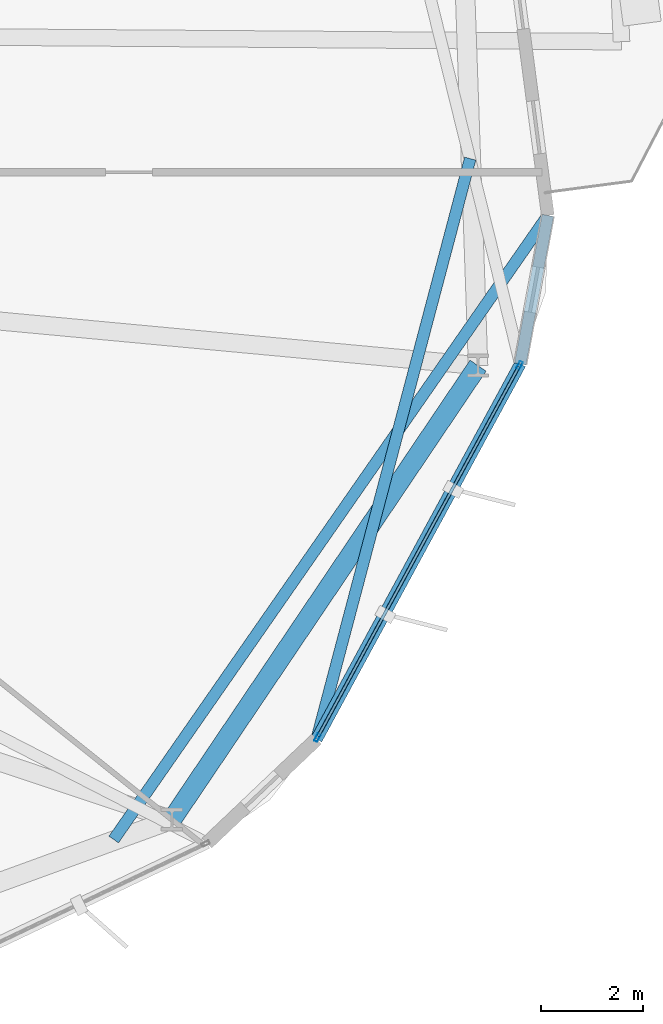
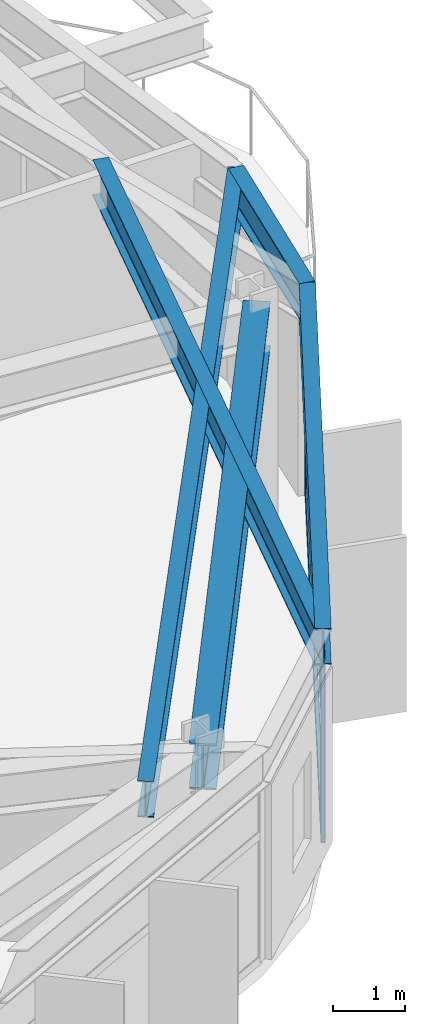
# One storey, part 12 of 25: 5 beams, 5 members, 1 element without a shape of its own.
"""IFC4 building model written with IfcOpenShell, lengths in metres."""

import ifcopenshell
import ifcopenshell.guid

model = None  # the IFC model being written
_history = None  # IfcOwnerHistory: only IFC2X3 demands one
_inside = {}  # id of a spatial element -> (the spatial element, [elements in it])
_under = {}  # id of a project, library or spatial element -> (it, [spatial elements below it])
_declared = {}  # id of a project -> (the project, [libraries it declares])
_typed = {}  # id of a type object -> (the type object, [elements of that type])
_made_of = {}  # id of a material, layer set ... -> (it, [elements and type objects made of it])


def new_model(schema):
    """Start an empty IFC model of exactly this schema.

    Asked for "IFC4X3", IfcOpenShell would pick the latest addendum, in which some entities
    have other attributes; the version numbers below select the first issue.
    IFC2X3 requires an IfcOwnerHistory on every rooted entity: one is made here for all.
    """
    global model, _history
    if schema == "IFC4X3":
        model = ifcopenshell.file(schema_version=(4, 3, 0, 0))
    else:
        model = ifcopenshell.file(schema=schema)
    _inside.clear()
    _under.clear()
    _declared.clear()
    _typed.clear()
    _made_of.clear()
    _history = None
    if model.schema == "IFC2X3":
        org = make("IfcOrganization", Name="unknown")
        user = make(
            "IfcPersonAndOrganization",
            ThePerson=make("IfcPerson", FamilyName="unknown"),
            TheOrganization=org,
        )
        app = make(
            "IfcApplication",
            ApplicationDeveloper=org,
            Version="unknown",
            ApplicationFullName="unknown",
            ApplicationIdentifier="unknown",
        )
        _history = make(
            "IfcOwnerHistory",
            OwningUser=user,
            OwningApplication=app,
            ChangeAction="ADDED",
            CreationDate=0,
        )
    return model


def make(cls, **values):
    """One entity of the class cls with the attributes given. An attribute that is None is left unset."""
    return model.create_entity(
        cls, **{name: value for name, value in values.items() if value is not None}
    )


def rooted(cls, **values):
    """An entity with a GlobalId (a new one), such as an element, a storey or a relation."""
    return make(cls, GlobalId=ifcopenshell.guid.new(), OwnerHistory=_history, **values)


def si_unit(unit_type, name, prefix=None):
    """IfcSIUnit, for example si_unit("LENGTHUNIT", "METRE", prefix="MILLI")."""
    return make("IfcSIUnit", UnitType=unit_type, Prefix=prefix, Name=name)


def assignment(units):
    """IfcUnitAssignment: the units of a project."""
    return None if units is None else make("IfcUnitAssignment", Units=units)


def point(xyz):
    """IfcCartesianPoint."""
    return None if xyz is None else make("IfcCartesianPoint", Coordinates=xyz)


def direction(xyz):
    """IfcDirection."""
    return None if xyz is None else make("IfcDirection", DirectionRatios=xyz)


def frame(location, z_axis=None, x_axis=None):
    """IfcAxis2Placement3D, a coordinate frame: its origin and axes. An axis left out is left unset."""
    return make(
        "IfcAxis2Placement3D",
        Location=point(location),
        Axis=direction(z_axis),
        RefDirection=direction(x_axis),
    )


def frame_2d(location, x_axis=None):
    """IfcAxis2Placement2D, a coordinate frame in the plane: its origin and x axis."""
    return make(
        "IfcAxis2Placement2D", Location=point(location), RefDirection=direction(x_axis)
    )


def origin():
    """The frame at (0, 0, 0) with its axes left unset."""
    return frame((0.0, 0.0, 0.0))


def origin_2d():
    """The frame at (0, 0) in the plane with its x axis left unset."""
    return frame_2d((0.0, 0.0))


def place(relative_to, where):
    """IfcLocalPlacement: puts the frame where relative to a parent placement (None: the world)."""
    return make(
        "IfcLocalPlacement", PlacementRelTo=relative_to, RelativePlacement=where
    )


def context(
    kind, dimensions, precision=None, world=None, true_north=None, identifier=None
):
    """IfcGeometricRepresentationContext, for example the 3D "Model" context."""
    return make(
        "IfcGeometricRepresentationContext",
        ContextIdentifier=identifier,
        ContextType=kind,
        CoordinateSpaceDimension=dimensions,
        Precision=precision,
        WorldCoordinateSystem=world,
        TrueNorth=true_north,
    )


def subcontext(parent, identifier, kind, view, scale=None):
    """IfcGeometricRepresentationSubContext, for example "Body" below "Model"."""
    return make(
        "IfcGeometricRepresentationSubContext",
        ContextIdentifier=identifier,
        ContextType=kind,
        ParentContext=parent,
        TargetScale=scale,
        TargetView=view,
    )


def project(units=None, contexts=None):
    """IfcProject with its units and contexts."""
    return rooted(
        "IfcProject",
        Name="project",
        RepresentationContexts=contexts,
        UnitsInContext=assignment(units),
    )


def spatial(cls, under=None, at=None, **own):
    """A site, building, storey or space (cls), placed at a placement, below another one or the project."""
    s = rooted(cls, ObjectPlacement=at, **own)
    if under is not None:
        _under.setdefault(under.id(), (under, []))[1].append(s)
    return s


def profile(cls, at=None, kind="AREA", **sizes):
    """A parametric profile (cls). Its sizes go by their IFC names, for example OverallWidth=200.0."""
    return make(cls, ProfileType=kind, Position=at, **sizes)


def hollow_rectangle(**sizes):
    """IfcRectangleHollowProfileDef."""
    return profile("IfcRectangleHollowProfileDef", **sizes)


def i_section(**sizes):
    """IfcIShapeProfileDef."""
    return profile("IfcIShapeProfileDef", **sizes)


def extrude(swept, where, along, depth):
    """IfcExtrudedAreaSolid: the profile swept, set in the frame where, extruded along a direction by depth."""
    return make(
        "IfcExtrudedAreaSolid",
        SweptArea=swept,
        Position=where,
        ExtrudedDirection=direction(along),
        Depth=depth,
    )


def shape(context_of_items, identifier, shape_type, items):
    """IfcShapeRepresentation: the items that make up one representation, for example the "Body"."""
    return make(
        "IfcShapeRepresentation",
        ContextOfItems=context_of_items,
        RepresentationIdentifier=identifier,
        RepresentationType=shape_type,
        Items=items,
    )


def material(Name=None, Category=None):
    """IfcMaterial."""
    return make("IfcMaterial", Name=Name, Category=Category)


def layer(
    of_material, thickness, ventilated=None, Name=None, Category=None, Priority=None
):
    """IfcMaterialLayer: one layer of a wall or slab, of a material (None: an air gap)."""
    return make(
        "IfcMaterialLayer",
        Material=of_material,
        LayerThickness=thickness,
        IsVentilated=ventilated,
        Name=Name,
        Category=Category,
        Priority=Priority,
    )


def layer_set(layers, Name=None):
    """IfcMaterialLayerSet."""
    return make("IfcMaterialLayerSet", MaterialLayers=layers, LayerSetName=Name)


def material_profile(
    of_material, cross_section, Name=None, Category=None, Priority=None
):
    """IfcMaterialProfile: a cross section and its material."""
    return make(
        "IfcMaterialProfile",
        Name=Name,
        Material=of_material,
        Profile=cross_section,
        Priority=Priority,
        Category=Category,
    )


def profile_set(profiles, Name=None, composite=None):
    """IfcMaterialProfileSet."""
    return make(
        "IfcMaterialProfileSet",
        Name=Name,
        MaterialProfiles=profiles,
        CompositeProfile=composite,
    )


def made_of(thing, what):
    """Note that an element or type object is made of a material, layer set ...; save() writes the relation."""
    if what is not None:
        _made_of.setdefault(what.id(), (what, []))[1].append(thing)
    return thing


def type_object(cls, material=None, **own):
    """A type object (cls), such as IfcWallType, which elements share."""
    return made_of(rooted(cls, **own), material)


def element(
    cls,
    number,
    at=None,
    inside=None,
    cuts=None,
    type_object=None,
    material=None,
    context=None,
    identifier="Body",
    shape_type=None,
    held_by="IfcProductDefinitionShape",
    body=None,
    shapes=None,
    **own,
):
    """One element of the class cls, such as IfcWall. Its Tag is "e" and its number.

    at: its placement. inside: the storey or other place that contains it. cuts: it is an
    opening in that element (IfcRelVoidsElement). A single representation is given by context,
    identifier, shape_type and body (its items); several are given by shapes. held_by: the class
    of the entity that holds the representations. save() writes the other relations.
    """
    e = rooted(cls, Tag="e%d" % number, ObjectPlacement=at, **own)
    if body is not None:
        shapes = [shape(context, identifier, shape_type, body)]
    if shapes is not None:
        e.Representation = make(held_by, Representations=shapes)
    if inside is not None:
        _inside.setdefault(inside.id(), (inside, []))[1].append(e)
    if cuts is not None:
        rooted(
            "IfcRelVoidsElement", RelatingBuildingElement=cuts, RelatedOpeningElement=e
        )
    if type_object is not None:
        _typed.setdefault(type_object.id(), (type_object, []))[1].append(e)
    return made_of(e, material)


def aggregate(whole, parts):
    """IfcRelAggregates: a whole, such as a stair, and the parts it consists of."""
    return rooted("IfcRelAggregates", RelatingObject=whole, RelatedObjects=parts)


def save(model, path):
    """Write the relations noted so far, then the file.

    IfcRelAggregates (storeys below a building ...), IfcRelContainedInSpatialStructure (elements
    in a storey), IfcRelDefinesByType, IfcRelAssociatesMaterial and IfcRelDeclares: one each for
    every whole, place, type object, material and project.
    """
    for whole, parts in _under.values():
        aggregate(whole, parts)
    for where, things in _inside.values():
        rooted(
            "IfcRelContainedInSpatialStructure",
            RelatedElements=things,
            RelatingStructure=where,
        )
    for kind, things in _typed.values():
        rooted("IfcRelDefinesByType", RelatedObjects=things, RelatingType=kind)
    for what, things in _made_of.values():
        rooted("IfcRelAssociatesMaterial", RelatedObjects=things, RelatingMaterial=what)
    for by, libraries in _declared.values():
        rooted("IfcRelDeclares", RelatingContext=by, RelatedDefinitions=libraries)
    model.write(path)


model = new_model("IFC4")

# Units and contexts
model_context = context("Model", 3, precision=1e-05, world=origin(), true_north=direction((0.0, 1.0)))
body_context = subcontext(model_context, "Body", "Model", "MODEL_VIEW")
ifc_project = project(units=[si_unit("LENGTHUNIT", "METRE"), si_unit("AREAUNIT", "SQUARE_METRE"), si_unit("VOLUMEUNIT", "CUBIC_METRE"), si_unit("PLANEANGLEUNIT", "RADIAN"), si_unit("MASSUNIT", "GRAM", prefix="KILO")], contexts=[model_context])

# Site, building, storey
site_placement = place(None, origin())
site = spatial("IfcSite", under=ifc_project, at=site_placement, CompositionType="ELEMENT")
building_placement = place(site_placement, origin())
building = spatial("IfcBuilding", under=site, at=building_placement, Name="Soratama Intermodal Tower", CompositionType="ELEMENT")
storey_placement = place(building_placement, frame((0.0, 0.0, 126.39990234375)))
storey = spatial("IfcBuildingStorey", under=building, at=storey_placement, Name="L30", CompositionType="ELEMENT", Elevation=126.39990234375)

# Beams
ifc_material_1 = material(Name="Structural steel ASTM A992 Grade 50", Category="steel")
ifc_material_profile_1 = material_profile(ifc_material_1, i_section(OverallWidth=0.382080078125, OverallDepth=0.779052734375, WebThickness=0.01806640625, FlangeThickness=0.030029296875, FilletRadius=0.01806640625, at=origin_2d()), Name="W30X191")
ifc_profile_set_1 = profile_set([ifc_material_profile_1], Name="Structural steel ASTM A992 Grade 50")
beam_type_1 = type_object("IfcBeamType", Name="BM-RING-W30X191", PredefinedType="BEAM", material=ifc_profile_set_1)
beam_1_placement = place(storey_placement, frame((55.7119140625, 11.2890625, 3.210693359375), z_axis=(0.559249807749, 0.828999187293, 0.0), x_axis=(-0.828999187293, 0.559249807749, 0.0)))
element("IfcBeam", 1, at=beam_1_placement, inside=storey, type_object=beam_type_1, Name="BM-L30-RING-09", PredefinedType="BEAM", context=body_context, shape_type="SweptSolid", body=[
    extrude(i_section(OverallWidth=0.382080078125, OverallDepth=0.779052734375, WebThickness=0.01806640625, FlangeThickness=0.030029296875, FilletRadius=0.01806640625, at=origin_2d()), origin(), (0.0, 0.0, 1.0), 10.75390625),
])
ifc_material_2 = material(Name="Structural steel ASTM A992 Grade 50", Category="steel")
ifc_material_profile_2 = material_profile(ifc_material_2, i_section(OverallWidth=0.22900390625, OverallDepth=0.612060546875, WebThickness=0.011962890625, FlangeThickness=0.01953125, FilletRadius=0.012939453125, at=origin_2d()), Name="W24X84")
ifc_profile_set_2 = profile_set([ifc_material_profile_2], Name="Structural steel ASTM A992 Grade 50")
beam_type_2 = type_object("IfcBeamType", Name="BM-SPN-W24X84", PredefinedType="SPANDREL", material=ifc_profile_set_2)
beam_2_placement = place(storey_placement, frame((58.555908203125, 12.8701171875, 3.294189453125), z_axis=(0.477116925785, 0.878839825639, 0.0), x_axis=(-0.878839825639, 0.477116925785, 0.0)))
element("IfcBeam", 2, at=beam_2_placement, inside=storey, type_object=beam_type_2, Name="BS-L30-F09", PredefinedType="SPANDREL", context=body_context, shape_type="SweptSolid", body=[
    extrude(i_section(OverallWidth=0.22900390625, OverallDepth=0.612060546875, WebThickness=0.011962890625, FlangeThickness=0.01953125, FilletRadius=0.012939453125, at=origin_2d()), origin(), (0.0, 0.0, 1.0), 8.3837890625),
])
beam_3_placement = place(storey_placement, frame((62.555908203125, 20.238037109375, 3.294189453125), z_axis=(0.182419400227, 0.983220810612, 0.0), x_axis=(-0.983220810612, 0.182419400227, 0.0)))
element("IfcBeam", 3, at=beam_3_placement, inside=storey, type_object=beam_type_2, Name="BS-L30-CRN09", PredefinedType="SPANDREL", context=body_context, shape_type="SweptSolid", body=[
    extrude(i_section(OverallWidth=0.22900390625, OverallDepth=0.612060546875, WebThickness=0.011962890625, FlangeThickness=0.01953125, FilletRadius=0.012939453125, at=origin_2d()), origin(), (0.0, 0.0, 1.0), 2.9658203125),
])
ifc_material_3 = material(Name="Structural steel ASTM A992 Grade 50", Category="steel")
ifc_material_profile_3 = material_profile(ifc_material_3, i_section(OverallWidth=0.22900390625, OverallDepth=0.612060546875, WebThickness=0.011962890625, FlangeThickness=0.01953125, FilletRadius=0.012939453125, at=origin_2d()), Name="W24X84")
ifc_profile_set_3 = profile_set([ifc_material_profile_3], Name="Structural steel ASTM A992 Grade 50")
beam_type_3 = type_object("IfcBeamType", Name="BM-TIE-W24X84", PredefinedType="BEAM", material=ifc_profile_set_3)
beam_4_placement = place(storey_placement, frame((61.572021484375, 24.27001953125, 3.294189453125), z_axis=(-0.255773056214, -0.966736853396, 0.0), x_axis=(0.966736853396, -0.255773056214, 0.0)))
element("IfcBeam", 4, at=beam_4_placement, inside=storey, type_object=beam_type_3, Name="BM-L30-TIE0-09", PredefinedType="BEAM", context=body_context, shape_type="SweptSolid", body=[
    extrude(i_section(OverallWidth=0.22900390625, OverallDepth=0.612060546875, WebThickness=0.011962890625, FlangeThickness=0.01953125, FilletRadius=0.012939453125, at=origin_2d()), origin(), (0.0, 0.0, 1.0), 11.792236328125),
])
beam_5_placement = place(storey_placement, frame((54.570068359375, 10.89697265625, 3.294189453125), z_axis=(0.571073111468, 0.820899202922, 0.0), x_axis=(-0.820899202922, 0.571073111468, 0.0)))
element("IfcBeam", 5, at=beam_5_placement, inside=storey, type_object=beam_type_3, Name="BM-L30-TIE0-10", PredefinedType="BEAM", context=body_context, shape_type="SweptSolid", body=[
    extrude(i_section(OverallWidth=0.22900390625, OverallDepth=0.612060546875, WebThickness=0.011962890625, FlangeThickness=0.01953125, FilletRadius=0.012939453125, at=origin_2d()), origin(), (0.0, 0.0, 1.0), 14.931396484375),
])

# Curtain wall, members
ifc_material_4 = material(Name="Double-glazed aluminium curtain wall", Category="aluminium")
ifc_layer = layer(ifc_material_4, 0.159912109375)
ifc_layer_set = layer_set([ifc_layer], Name="Double-glazed aluminium curtain wall")
curtain_wall_type = type_object("IfcCurtainWallType", Name="CW-SYS-3", PredefinedType="NOTDEFINED", material=ifc_layer_set)
curtain_wall_placement = place(storey_placement, origin())
curtain_wall = element("IfcCurtainWall", 6, at=curtain_wall_placement, inside=storey, type_object=curtain_wall_type, Name="L30 Faceted Curtain Wall F09", PredefinedType="NOTDEFINED")
ifc_material_5 = material(Name="Anodised aluminium AA 6063-T6", Category="aluminium")
ifc_material_profile_4 = material_profile(ifc_material_5, hollow_rectangle(XDim=0.070068359375, YDim=0.159912109375, WallThickness=0.0048828125, InnerFilletRadius=0.0048828125, OuterFilletRadius=0.010009765625, at=origin_2d()), Name="CWM160X70X5")
ifc_profile_set_4 = profile_set([ifc_material_profile_4], Name="Anodised aluminium AA 6063-T6")
member_type_1 = type_object("IfcMemberType", Name="MT-CWM-3", PredefinedType="MULLION", material=ifc_profile_set_4)
member_1_placement = place(storey_placement, frame((58.570068359375, 12.896484375, 0.0), z_axis=(0.0, 0.0, 1.0), x_axis=(-0.878816132922, 0.477160564712, 0.0)))
member_1 = element("IfcMember", 7, at=member_1_placement, type_object=member_type_1, Name="CW-3 mullion 1", PredefinedType="MULLION", context=body_context, shape_type="SweptSolid", body=[
    extrude(hollow_rectangle(XDim=0.070068359375, YDim=0.159912109375, WallThickness=0.0048828125, InnerFilletRadius=0.0048828125, OuterFilletRadius=0.010009765625, at=origin_2d()), origin(), (0.0, 0.0, 1.0), 2.97900390625),
])
member_2_placement = place(storey_placement, frame((62.541748046875, 20.21142578125, 0.0), z_axis=(0.0, 0.0, 1.0), x_axis=(-0.878816132922, 0.477160564712, 0.0)))
member_2 = element("IfcMember", 8, at=member_2_placement, type_object=member_type_1, Name="CW-3 mullion 2", PredefinedType="MULLION", context=body_context, shape_type="SweptSolid", body=[
    extrude(hollow_rectangle(XDim=0.070068359375, YDim=0.159912109375, WallThickness=0.0048828125, InnerFilletRadius=0.0048828125, OuterFilletRadius=0.010009765625, at=origin_2d()), origin(), (0.0, 0.0, 1.0), 2.97900390625),
])
ifc_material_6 = material(Name="Anodised aluminium AA 6063-T6", Category="aluminium")
ifc_material_profile_5 = material_profile(ifc_material_6, hollow_rectangle(XDim=0.06494140625, YDim=0.14990234375, WallThickness=0.0048828125, InnerFilletRadius=0.0048828125, OuterFilletRadius=0.010009765625, at=origin_2d()), Name="CWT150X65X5")
ifc_profile_set_5 = profile_set([ifc_material_profile_5], Name="Anodised aluminium AA 6063-T6")
member_type_2 = type_object("IfcMemberType", Name="TT-CWT-1", PredefinedType="USERDEFINED", material=ifc_profile_set_5)
member_3_placement = place(storey_placement, frame((58.584228515625, 12.9228515625, 0.030029296875), z_axis=(0.477164230909, 0.87881414232, 0.0), x_axis=(-0.87881414232, 0.477164230909, 0.0)))
member_3 = element("IfcMember", 9, at=member_3_placement, type_object=member_type_2, Name="CW-3 transom 1.1", ObjectType="TRANSOM", PredefinedType="USERDEFINED", context=body_context, shape_type="SweptSolid", body=[
    extrude(hollow_rectangle(XDim=0.06494140625, YDim=0.14990234375, WallThickness=0.0048828125, InnerFilletRadius=0.0048828125, OuterFilletRadius=0.010009765625, at=origin_2d()), origin(), (0.0, 0.0, 1.0), 8.263671875),
])
member_4_placement = place(storey_placement, frame((58.584228515625, 12.9228515625, 2.150146484375), z_axis=(0.477164230909, 0.87881414232, 0.0), x_axis=(-0.87881414232, 0.477164230909, 0.0)))
member_4 = element("IfcMember", 10, at=member_4_placement, type_object=member_type_2, Name="CW-3 transom 1.2", ObjectType="TRANSOM", PredefinedType="USERDEFINED", context=body_context, shape_type="SweptSolid", body=[
    extrude(hollow_rectangle(XDim=0.06494140625, YDim=0.14990234375, WallThickness=0.0048828125, InnerFilletRadius=0.0048828125, OuterFilletRadius=0.010009765625, at=origin_2d()), origin(), (0.0, 0.0, 1.0), 8.263671875),
])
member_5_placement = place(storey_placement, frame((58.584228515625, 12.9228515625, 2.94921875), z_axis=(0.477164230909, 0.87881414232, 0.0), x_axis=(-0.87881414232, 0.477164230909, 0.0)))
member_5 = element("IfcMember", 11, at=member_5_placement, type_object=member_type_2, Name="CW-3 transom 1.3", ObjectType="TRANSOM", PredefinedType="USERDEFINED", context=body_context, shape_type="SweptSolid", body=[
    extrude(hollow_rectangle(XDim=0.06494140625, YDim=0.14990234375, WallThickness=0.0048828125, InnerFilletRadius=0.0048828125, OuterFilletRadius=0.010009765625, at=origin_2d()), origin(), (0.0, 0.0, 1.0), 8.263671875),
])
aggregate(curtain_wall, [member_1, member_2, member_3, member_4, member_5])

save(model, "model.ifc")
